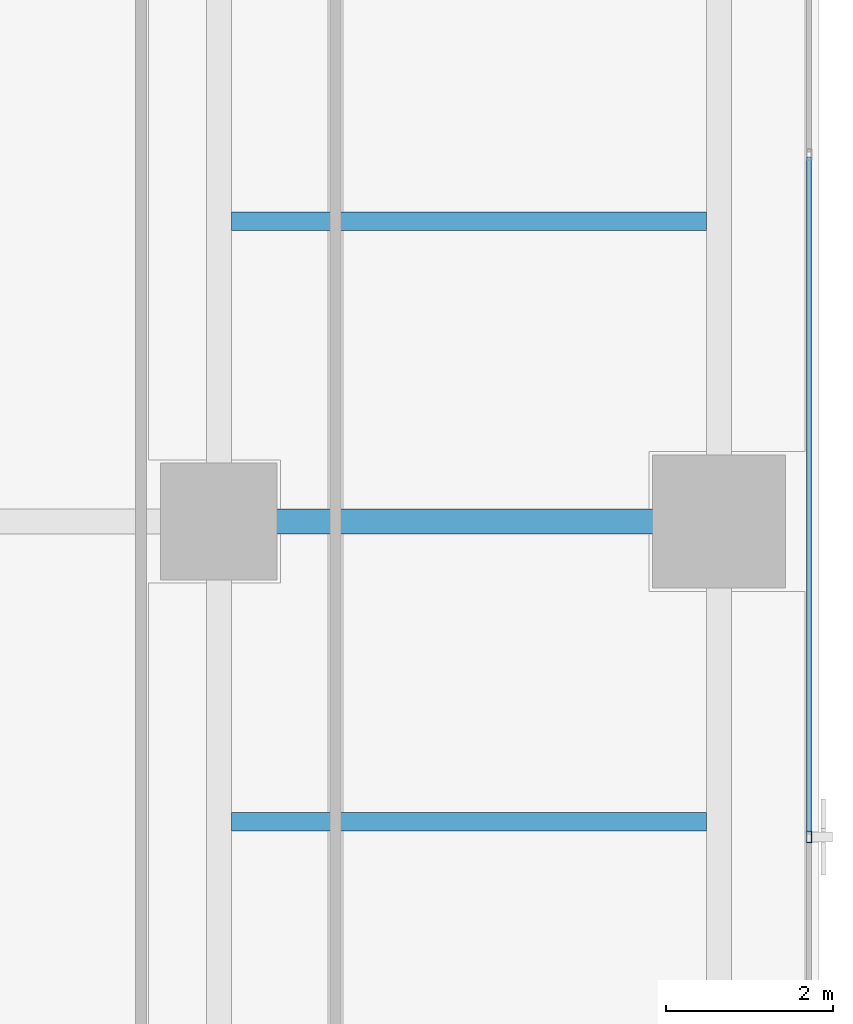
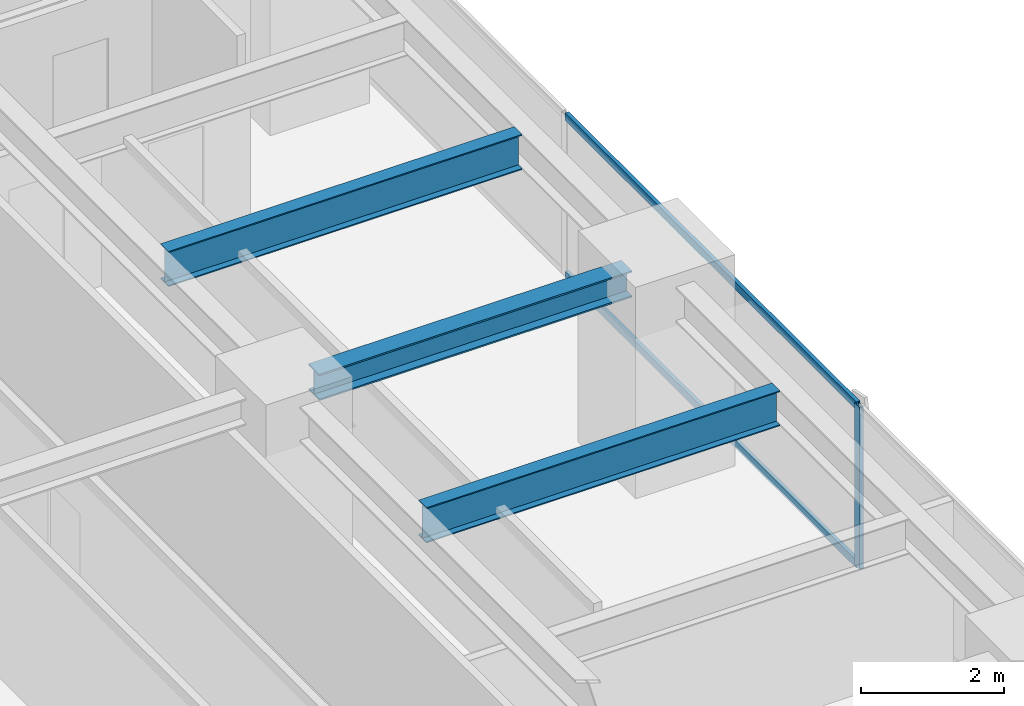
# One storey, part 15 of 30: 3 beams, 3 members, 1 element without a shape of its own.
"""IFC4 building model written with IfcOpenShell, lengths in metres."""

from ifc_helpers import new_model, si_unit, direction, frame, origin, origin_2d, place, context, subcontext, project, spatial, hollow_rectangle, i_section, extrude, source, transform, mapped, material, layer, layer_set, material_profile, profile_set, type_object, element, aggregate, save


model = new_model("IFC4")

# Units and contexts
model_context = context("Model", 3, precision=1e-05, world=origin(), true_north=direction((0.0, 1.0)))
body_context = subcontext(model_context, "Body", "Model", "MODEL_VIEW")
ifc_project = project(units=[si_unit("LENGTHUNIT", "METRE"), si_unit("AREAUNIT", "SQUARE_METRE"), si_unit("VOLUMEUNIT", "CUBIC_METRE"), si_unit("PLANEANGLEUNIT", "RADIAN"), si_unit("MASSUNIT", "GRAM", prefix="KILO")], contexts=[model_context])

# Site, building, storey
site_placement = place(None, origin())
site = spatial("IfcSite", under=ifc_project, at=site_placement, CompositionType="ELEMENT")
building_placement = place(site_placement, origin())
building = spatial("IfcBuilding", under=site, at=building_placement, Name="Sumidabori Civic Tower", CompositionType="ELEMENT")
storey_placement = place(building_placement, frame((0.0, 0.0, 200.0)))
storey = spatial("IfcBuildingStorey", under=building, at=storey_placement, Name="L51", CompositionType="ELEMENT", Elevation=200.0)

# Beams
ifc_material_1 = material(Name="Steel SN490", Category="steel")
ifc_material_profile_1 = material_profile(ifc_material_1, i_section(OverallWidth=0.219970703125, OverallDepth=0.60009765625, WebThickness=0.011962890625, FlangeThickness=0.01904296875, at=origin_2d()), Name="IPE 600")
ifc_profile_set_1 = profile_set([ifc_material_profile_1], Name="Steel SN490")
beam_type_1 = type_object("IfcBeamType", Name="BM-JST-600", PredefinedType="JOIST", material=ifc_profile_set_1)
shared_shape_1 = source(origin(), body_context, "Body", "SweptSolid", [
    extrude(i_section(OverallWidth=0.219970703125, OverallDepth=0.60009765625, WebThickness=0.011962890625, FlangeThickness=0.01904296875, at=origin_2d()), origin(), (0.0, 0.0, 1.0), 5.699951171875),
])
for number, where, z_axis, x_axis, name in (
    (1, (16.949951171875, -3.60009765625, 3.080078125), (1.0, 0.0, 0.0), (0.0, 1.0, 0.0), "Outer Bay Floor Joist L51 JSTO-28"),
    (2, (16.949951171875, 3.60009765625, 3.080078125), (1.0, 0.0, 0.0), (0.0, 1.0, 0.0), "Outer Bay Floor Joist L51 JSTO-30"),
):
    element("IfcBeam", number, at=place(storey_placement, frame(where, z_axis=z_axis, x_axis=x_axis)), inside=storey, type_object=beam_type_1, Name=name, PredefinedType="JOIST", context=body_context, shape_type="MappedRepresentation", body=[
        mapped(shared_shape_1, transform((0.0, 0.0, 0.0), x_axis=(1.0, 0.0, 0.0), y_axis=(0.0, 1.0, 0.0), z_axis=(0.0, 0.0, 1.0), scale=1.0)),
    ])
ifc_material_profile_2 = material_profile(ifc_material_1, i_section(OverallWidth=0.300048828125, OverallDepth=0.449951171875, WebThickness=0.013916015625, FlangeThickness=0.02587890625, at=origin_2d()), Name="HE 450 B")
ifc_profile_set_2 = profile_set([ifc_material_profile_2], Name="Steel SN490")
beam_type_2 = type_object("IfcBeamType", Name="BM-GIRD-450", PredefinedType="BEAM", material=ifc_profile_set_2)
shared_shape_2 = source(origin(), body_context, "Body", "SweptSolid", [
    extrude(i_section(OverallWidth=0.300048828125, OverallDepth=0.449951171875, WebThickness=0.013916015625, FlangeThickness=0.02587890625, at=origin_2d()), origin(), (0.0, 0.0, 1.0), 5.0400390625),
])
beam_placement = place(storey_placement, frame((17.280029296875, 0.0, 3.155029296875), z_axis=(1.0, 0.0, 0.0), x_axis=(0.0, 1.0, 0.0)))
element("IfcBeam", 3, at=beam_placement, inside=storey, type_object=beam_type_2, Name="Primary Girder L51 GX-08", PredefinedType="BEAM", context=body_context, shape_type="MappedRepresentation", body=[
    mapped(shared_shape_2, transform((0.0, 0.0, 0.0), x_axis=(1.0, 0.0, 0.0), y_axis=(0.0, 1.0, 0.0), z_axis=(0.0, 0.0, 1.0), scale=1.0)),
])

# Curtain wall, members
ifc_material_2 = material(Name="Anodised Bronze Aluminium AW-6063-T6", Category="aluminium")
ifc_layer = layer(ifc_material_2, 0.179931640625, Name="Anodised Bronze Aluminium AW-6063-T6")
ifc_layer_set = layer_set([ifc_layer], Name="Anodised Bronze Aluminium AW-6063-T6")
curtain_wall_type = type_object("IfcCurtainWallType", Name="CW-SYS-5", PredefinedType="NOTDEFINED", material=ifc_layer_set)
curtain_wall_placement = place(storey_placement, origin())
curtain_wall = element("IfcCurtainWall", 4, at=curtain_wall_placement, inside=storey, type_object=curtain_wall_type, Name="Curtain Wall CW:L51:R10", PredefinedType="NOTDEFINED")
ifc_material_profile_3 = material_profile(ifc_material_2, hollow_rectangle(XDim=0.06005859375, YDim=0.139892578125, WallThickness=0.0048828125, at=origin_2d()), Name="ALU MULLION 140x60")
ifc_profile_set_3 = profile_set([ifc_material_profile_3], Name="Anodised Bronze Aluminium AW-6063-T6")
member_type_1 = type_object("IfcMemberType", Name="CW-MUL-140", PredefinedType="MULLION", material=ifc_profile_set_3)
shared_shape_3 = source(origin(), body_context, "Body", "SweptSolid", [
    extrude(hollow_rectangle(XDim=0.06005859375, YDim=0.139892578125, WallThickness=0.0048828125, at=origin_2d()), origin(), (0.0, 0.0, 1.0), 2.760009765625),
])
member_1_placement = place(storey_placement, frame((23.8798828125, -3.784912109375, 0.0), z_axis=(0.0, 0.0, 1.0), x_axis=(-1.0, 0.0, 0.0)))
member_1 = element("IfcMember", 5, at=member_1_placement, type_object=member_type_1, Name="CW-5 mullion 2", PredefinedType="MULLION", context=body_context, shape_type="MappedRepresentation", body=[
    mapped(shared_shape_3, transform((0.0, 0.0, 0.0), x_axis=(1.0, 0.0, 0.0), y_axis=(0.0, 1.0, 0.0), z_axis=(0.0, 0.0, 1.0), scale=1.0)),
])
ifc_material_profile_4 = material_profile(ifc_material_2, hollow_rectangle(XDim=0.06005859375, YDim=0.1298828125, WallThickness=0.0048828125, at=origin_2d()), Name="ALU TRANSOM 130x60")
ifc_profile_set_4 = profile_set([ifc_material_profile_4], Name="Anodised Bronze Aluminium AW-6063-T6")
member_type_2 = type_object("IfcMemberType", Name="CW-TRN-130", PredefinedType="USERDEFINED", material=ifc_profile_set_4)
shared_shape_4 = source(origin(), body_context, "Body", "SweptSolid", [
    extrude(hollow_rectangle(XDim=0.06005859375, YDim=0.1298828125, WallThickness=0.0048828125, at=origin_2d()), origin(), (0.0, 0.0, 1.0), 8.125),
])
member_2_placement = place(storey_placement, frame((23.8798828125, -3.7548828125, 0.030029296875), z_axis=(0.0, 1.0, 0.0), x_axis=(-1.0, 0.0, 0.0)))
member_2 = element("IfcMember", 6, at=member_2_placement, type_object=member_type_2, Name="CW-5 transom 2.1", ObjectType="TRANSOM", PredefinedType="USERDEFINED", context=body_context, shape_type="MappedRepresentation", body=[
    mapped(shared_shape_4, transform((0.0, 0.0, 0.0), x_axis=(1.0, 0.0, 0.0), y_axis=(0.0, 1.0, 0.0), z_axis=(0.0, 0.0, 1.0), scale=1.0)),
])
member_3_placement = place(storey_placement, frame((23.8798828125, -3.7548828125, 2.72998046875), z_axis=(0.0, 1.0, 0.0), x_axis=(-1.0, 0.0, 0.0)))
member_3 = element("IfcMember", 7, at=member_3_placement, type_object=member_type_2, Name="CW-5 transom 2.2", ObjectType="TRANSOM", PredefinedType="USERDEFINED", context=body_context, shape_type="MappedRepresentation", body=[
    mapped(shared_shape_4, transform((0.0, 0.0, 0.0), x_axis=(1.0, 0.0, 0.0), y_axis=(0.0, 1.0, 0.0), z_axis=(0.0, 0.0, 1.0), scale=1.0)),
])
aggregate(curtain_wall, [member_1, member_2, member_3])

save(model, "model.ifc")
